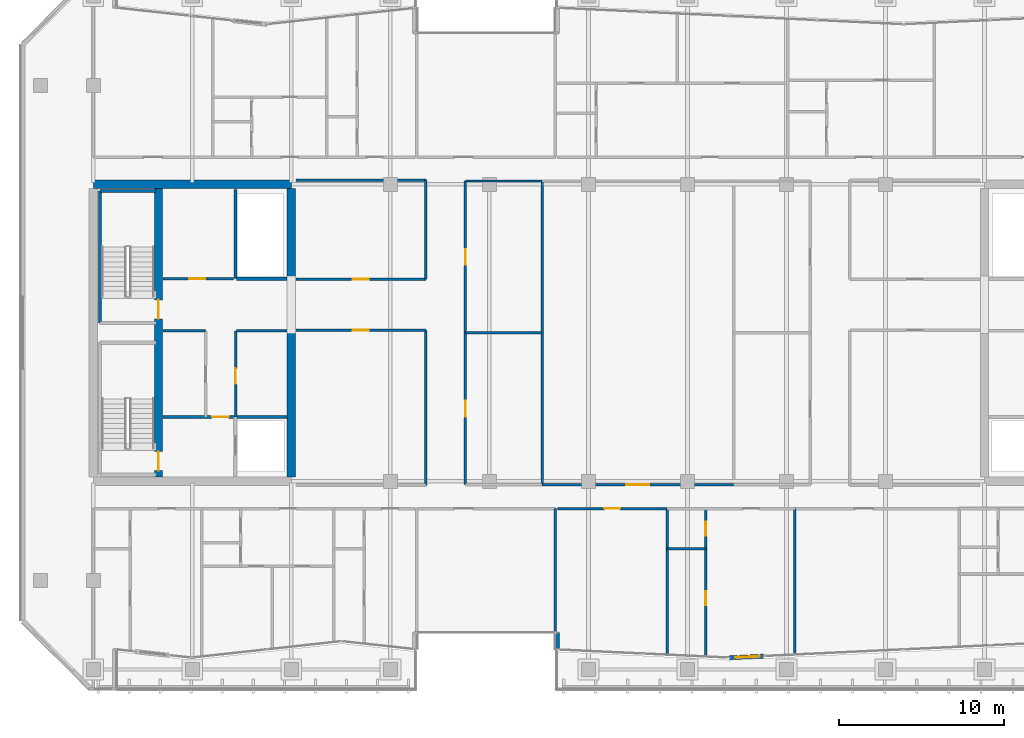
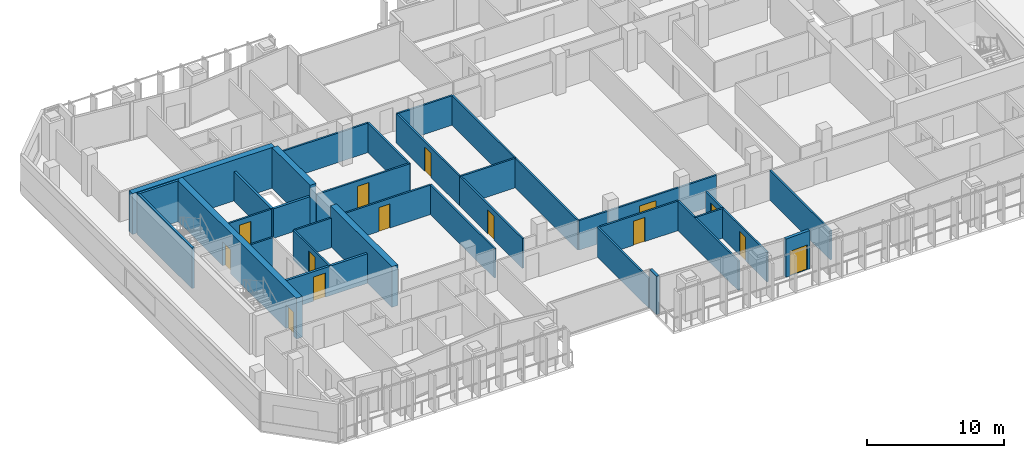
# One storey, part 19 of 28: 32 walls, 14 doors, 14 openings.
"""IFC4 building model written with IfcOpenShell, lengths in metres."""

import ifcopenshell
import ifcopenshell.guid

model = None  # the IFC model being written
_history = None  # IfcOwnerHistory: only IFC2X3 demands one
_inside = {}  # id of a spatial element -> (the spatial element, [elements in it])
_under = {}  # id of a project, library or spatial element -> (it, [spatial elements below it])
_declared = {}  # id of a project -> (the project, [libraries it declares])
_typed = {}  # id of a type object -> (the type object, [elements of that type])
_made_of = {}  # id of a material, layer set ... -> (it, [elements and type objects made of it])


def new_model(schema):
    """Start an empty IFC model of exactly this schema.

    Asked for "IFC4X3", IfcOpenShell would pick the latest addendum, in which some entities
    have other attributes; the version numbers below select the first issue.
    IFC2X3 requires an IfcOwnerHistory on every rooted entity: one is made here for all.
    """
    global model, _history
    if schema == "IFC4X3":
        model = ifcopenshell.file(schema_version=(4, 3, 0, 0))
    else:
        model = ifcopenshell.file(schema=schema)
    _inside.clear()
    _under.clear()
    _declared.clear()
    _typed.clear()
    _made_of.clear()
    _history = None
    if model.schema == "IFC2X3":
        org = make("IfcOrganization", Name="unknown")
        user = make(
            "IfcPersonAndOrganization",
            ThePerson=make("IfcPerson", FamilyName="unknown"),
            TheOrganization=org,
        )
        app = make(
            "IfcApplication",
            ApplicationDeveloper=org,
            Version="unknown",
            ApplicationFullName="unknown",
            ApplicationIdentifier="unknown",
        )
        _history = make(
            "IfcOwnerHistory",
            OwningUser=user,
            OwningApplication=app,
            ChangeAction="ADDED",
            CreationDate=0,
        )
    return model


def make(cls, **values):
    """One entity of the class cls with the attributes given. An attribute that is None is left unset."""
    return model.create_entity(
        cls, **{name: value for name, value in values.items() if value is not None}
    )


def rooted(cls, **values):
    """An entity with a GlobalId (a new one), such as an element, a storey or a relation."""
    return make(cls, GlobalId=ifcopenshell.guid.new(), OwnerHistory=_history, **values)


def si_unit(unit_type, name, prefix=None):
    """IfcSIUnit, for example si_unit("LENGTHUNIT", "METRE", prefix="MILLI")."""
    return make("IfcSIUnit", UnitType=unit_type, Prefix=prefix, Name=name)


def assignment(units):
    """IfcUnitAssignment: the units of a project."""
    return None if units is None else make("IfcUnitAssignment", Units=units)


def point(xyz):
    """IfcCartesianPoint."""
    return None if xyz is None else make("IfcCartesianPoint", Coordinates=xyz)


def direction(xyz):
    """IfcDirection."""
    return None if xyz is None else make("IfcDirection", DirectionRatios=xyz)


def frame(location, z_axis=None, x_axis=None):
    """IfcAxis2Placement3D, a coordinate frame: its origin and axes. An axis left out is left unset."""
    return make(
        "IfcAxis2Placement3D",
        Location=point(location),
        Axis=direction(z_axis),
        RefDirection=direction(x_axis),
    )


def frame_2d(location, x_axis=None):
    """IfcAxis2Placement2D, a coordinate frame in the plane: its origin and x axis."""
    return make(
        "IfcAxis2Placement2D", Location=point(location), RefDirection=direction(x_axis)
    )


def origin():
    """The frame at (0, 0, 0) with its axes left unset."""
    return frame((0.0, 0.0, 0.0))


def place(relative_to, where):
    """IfcLocalPlacement: puts the frame where relative to a parent placement (None: the world)."""
    return make(
        "IfcLocalPlacement", PlacementRelTo=relative_to, RelativePlacement=where
    )


def context(
    kind, dimensions, precision=None, world=None, true_north=None, identifier=None
):
    """IfcGeometricRepresentationContext, for example the 3D "Model" context."""
    return make(
        "IfcGeometricRepresentationContext",
        ContextIdentifier=identifier,
        ContextType=kind,
        CoordinateSpaceDimension=dimensions,
        Precision=precision,
        WorldCoordinateSystem=world,
        TrueNorth=true_north,
    )


def subcontext(parent, identifier, kind, view, scale=None):
    """IfcGeometricRepresentationSubContext, for example "Body" below "Model"."""
    return make(
        "IfcGeometricRepresentationSubContext",
        ContextIdentifier=identifier,
        ContextType=kind,
        ParentContext=parent,
        TargetScale=scale,
        TargetView=view,
    )


def project(units=None, contexts=None):
    """IfcProject with its units and contexts."""
    return rooted(
        "IfcProject",
        Name="project",
        RepresentationContexts=contexts,
        UnitsInContext=assignment(units),
    )


def spatial(cls, under=None, at=None, **own):
    """A site, building, storey or space (cls), placed at a placement, below another one or the project."""
    s = rooted(cls, ObjectPlacement=at, **own)
    if under is not None:
        _under.setdefault(under.id(), (under, []))[1].append(s)
    return s


def profile(cls, at=None, kind="AREA", **sizes):
    """A parametric profile (cls). Its sizes go by their IFC names, for example OverallWidth=200.0."""
    return make(cls, ProfileType=kind, Position=at, **sizes)


def rectangle(**sizes):
    """IfcRectangleProfileDef."""
    return profile("IfcRectangleProfileDef", **sizes)


def extrude(swept, where, along, depth):
    """IfcExtrudedAreaSolid: the profile swept, set in the frame where, extruded along a direction by depth."""
    return make(
        "IfcExtrudedAreaSolid",
        SweptArea=swept,
        Position=where,
        ExtrudedDirection=direction(along),
        Depth=depth,
    )


def shape(context_of_items, identifier, shape_type, items):
    """IfcShapeRepresentation: the items that make up one representation, for example the "Body"."""
    return make(
        "IfcShapeRepresentation",
        ContextOfItems=context_of_items,
        RepresentationIdentifier=identifier,
        RepresentationType=shape_type,
        Items=items,
    )


def material(Name=None, Category=None):
    """IfcMaterial."""
    return make("IfcMaterial", Name=Name, Category=Category)


def layer(
    of_material, thickness, ventilated=None, Name=None, Category=None, Priority=None
):
    """IfcMaterialLayer: one layer of a wall or slab, of a material (None: an air gap)."""
    return make(
        "IfcMaterialLayer",
        Material=of_material,
        LayerThickness=thickness,
        IsVentilated=ventilated,
        Name=Name,
        Category=Category,
        Priority=Priority,
    )


def layer_set(layers, Name=None):
    """IfcMaterialLayerSet."""
    return make("IfcMaterialLayerSet", MaterialLayers=layers, LayerSetName=Name)


def made_of(thing, what):
    """Note that an element or type object is made of a material, layer set ...; save() writes the relation."""
    if what is not None:
        _made_of.setdefault(what.id(), (what, []))[1].append(thing)
    return thing


def type_object(cls, material=None, **own):
    """A type object (cls), such as IfcWallType, which elements share."""
    return made_of(rooted(cls, **own), material)


def element(
    cls,
    number,
    at=None,
    inside=None,
    cuts=None,
    type_object=None,
    material=None,
    context=None,
    identifier="Body",
    shape_type=None,
    held_by="IfcProductDefinitionShape",
    body=None,
    shapes=None,
    **own,
):
    """One element of the class cls, such as IfcWall. Its Tag is "e" and its number.

    at: its placement. inside: the storey or other place that contains it. cuts: it is an
    opening in that element (IfcRelVoidsElement). A single representation is given by context,
    identifier, shape_type and body (its items); several are given by shapes. held_by: the class
    of the entity that holds the representations. save() writes the other relations.
    """
    e = rooted(cls, Tag="e%d" % number, ObjectPlacement=at, **own)
    if body is not None:
        shapes = [shape(context, identifier, shape_type, body)]
    if shapes is not None:
        e.Representation = make(held_by, Representations=shapes)
    if inside is not None:
        _inside.setdefault(inside.id(), (inside, []))[1].append(e)
    if cuts is not None:
        rooted(
            "IfcRelVoidsElement", RelatingBuildingElement=cuts, RelatedOpeningElement=e
        )
    if type_object is not None:
        _typed.setdefault(type_object.id(), (type_object, []))[1].append(e)
    return made_of(e, material)


def fill(opening, filler):
    """IfcRelFillsElement: the door or window that sits in an opening."""
    return rooted(
        "IfcRelFillsElement",
        RelatingOpeningElement=opening,
        RelatedBuildingElement=filler,
    )


def aggregate(whole, parts):
    """IfcRelAggregates: a whole, such as a stair, and the parts it consists of."""
    return rooted("IfcRelAggregates", RelatingObject=whole, RelatedObjects=parts)


def save(model, path):
    """Write the relations noted so far, then the file.

    IfcRelAggregates (storeys below a building ...), IfcRelContainedInSpatialStructure (elements
    in a storey), IfcRelDefinesByType, IfcRelAssociatesMaterial and IfcRelDeclares: one each for
    every whole, place, type object, material and project.
    """
    for whole, parts in _under.values():
        aggregate(whole, parts)
    for where, things in _inside.values():
        rooted(
            "IfcRelContainedInSpatialStructure",
            RelatedElements=things,
            RelatingStructure=where,
        )
    for kind, things in _typed.values():
        rooted("IfcRelDefinesByType", RelatedObjects=things, RelatingType=kind)
    for what, things in _made_of.values():
        rooted("IfcRelAssociatesMaterial", RelatedObjects=things, RelatingMaterial=what)
    for by, libraries in _declared.values():
        rooted("IfcRelDeclares", RelatingContext=by, RelatedDefinitions=libraries)
    model.write(path)


model = new_model("IFC4")

# Units and contexts
model_context = context("Model", 3, precision=1e-05, world=origin(), true_north=direction((0.0, 1.0)))
body_context = subcontext(model_context, "Body", "Model", "MODEL_VIEW")
ifc_project = project(units=[si_unit("LENGTHUNIT", "METRE"), si_unit("AREAUNIT", "SQUARE_METRE"), si_unit("VOLUMEUNIT", "CUBIC_METRE"), si_unit("PLANEANGLEUNIT", "RADIAN"), si_unit("MASSUNIT", "GRAM", prefix="KILO")], contexts=[model_context])

# Site, building, storey
site_placement = place(None, origin())
site = spatial("IfcSite", under=ifc_project, at=site_placement, CompositionType="ELEMENT")
building_placement = place(site_placement, origin())
building = spatial("IfcBuilding", under=site, at=building_placement, Name="Tanjung Sevakor Pilgrim Tower", CompositionType="ELEMENT")
storey_placement = place(building_placement, frame((0.0, 0.0, 158.39990234375)))
storey = spatial("IfcBuildingStorey", under=building, at=storey_placement, Name="L44", CompositionType="ELEMENT", Elevation=158.39990234375)

# Walls
ifc_material_1 = material(Name="Concrete C60/75", Category="concrete")
ifc_layer_1 = layer(ifc_material_1, 0.5)
ifc_layer_set_1 = layer_set([ifc_layer_1], Name="WALL-CW-500")
wall_type_1 = type_object("IfcWallType", Name="WALL-CW-500", PredefinedType="SHEAR", material=ifc_layer_set_1)
wall_1_placement = place(storey_placement, frame((36.0, 42.60009765625, 0.0), z_axis=(0.0, 0.0, 1.0), x_axis=(-1.0, 0.0, 0.0)))
element("IfcWall", 1, at=wall_1_placement, inside=storey, type_object=wall_type_1, Name="L44 W Core North Shear Wall", PredefinedType="SHEAR", context=body_context, shape_type="SweptSolid", body=[
    extrude(rectangle(XDim=12.0, YDim=0.5, at=frame_2d((6.0, 0.0))), origin(), (0.0, 0.0, 1.0), 3.630126953125),
])
wall_2_placement = place(storey_placement, frame((36.0, 24.85009765625, 0.0), z_axis=(0.0, 0.0, 1.0), x_axis=(0.0, 1.0, 0.0)))
element("IfcWall", 2, at=wall_2_placement, inside=storey, type_object=wall_type_1, Name="L44 W Core Inner Shear Wall South", PredefinedType="SHEAR", context=body_context, shape_type="SweptSolid", body=[
    extrude(rectangle(XDim=8.949951171875, YDim=0.5, at=frame_2d((4.47509765625, 0.0))), origin(), (0.0, 0.0, 1.0), 3.630126953125),
])
wall_3_placement = place(storey_placement, frame((36.0, 36.800048828125, 0.0), z_axis=(0.0, 0.0, 1.0), x_axis=(0.0, 1.0, 0.0)))
element("IfcWall", 3, at=wall_3_placement, inside=storey, type_object=wall_type_1, Name="L44 W Core Inner Shear Wall North", PredefinedType="SHEAR", context=body_context, shape_type="SweptSolid", body=[
    extrude(rectangle(XDim=5.550048828125, YDim=0.5, at=frame_2d((2.77490234375, 0.0))), origin(), (0.0, 0.0, 1.0), 3.630126953125),
])

# Wall, openings, doors
wall_4_placement = place(storey_placement, frame((27.949951171875, 24.85009765625, 0.0), z_axis=(0.0, 0.0, 1.0), x_axis=(0.0, 1.0, 0.0)))
wall_4 = element("IfcWall", 4, at=wall_4_placement, inside=storey, type_object=wall_type_1, Name="L44 W Core Stair Spine Wall", PredefinedType="SHEAR", context=body_context, shape_type="SweptSolid", body=[
    extrude(rectangle(XDim=17.5, YDim=0.5, at=frame_2d((8.75, 0.0))), origin(), (0.0, 0.0, 1.0), 3.630126953125),
])
opening_1_placement = place(wall_4_placement, frame((0.39990234375, 0.0, 0.0)))
opening_1 = element("IfcOpeningElement", 5, at=opening_1_placement, cuts=wall_4, Name="Opening ID-ST1", PredefinedType="OPENING", context=body_context, shape_type="SweptSolid", body=[
    extrude(rectangle(XDim=1.14990234375, YDim=2.14990234375, at=frame_2d((0.574951171875, 1.074951171875))), frame((0.0, 0.260009765625, 0.0), z_axis=(0.0, -1.0, 0.0), x_axis=(1.0, 0.0, 0.0)), (0.0, 0.0, 1.0), 0.52001953125),
])
opening_2_placement = place(wall_4_placement, frame((9.60009765625, 0.0, 0.0)))
opening_2 = element("IfcOpeningElement", 6, at=opening_2_placement, cuts=wall_4, Name="Opening ID-ST1", PredefinedType="OPENING", context=body_context, shape_type="SweptSolid", body=[
    extrude(rectangle(XDim=1.14990234375, YDim=2.14990234375, at=frame_2d((0.574951171875, 1.074951171875))), frame((0.0, 0.260009765625, 0.0), z_axis=(0.0, -1.0, 0.0), x_axis=(1.0, 0.0, 0.0)), (0.0, 0.0, 1.0), 0.52001953125),
])
ifc_material_2 = material(Name="Fire-Rated Steel S355J2", Category="steel")
door_type_1 = type_object("IfcDoorType", Name="DT-FIRE-1150", OperationType="NOTDEFINED", PredefinedType="DOOR", material=ifc_material_2)
door_1_placement = place(opening_1_placement, origin())
door_1 = element("IfcDoor", 7, at=door_1_placement, inside=storey, type_object=door_type_1, Name="L44 TS-W1 Stair Fire Door", OperationType="SINGLE_SWING_LEFT", OverallHeight=2.14990234375, OverallWidth=1.14990234375, PredefinedType="DOOR", context=body_context, shape_type="SweptSolid", body=[
    extrude(rectangle(XDim=1.14990234375, YDim=2.14990234375, at=frame_2d((0.574951171875, 1.074951171875))), frame((0.0, 0.02490234375, 0.0), z_axis=(0.0, -1.0, 0.0), x_axis=(1.0, 0.0, 0.0)), (0.0, 0.0, 1.0), 0.050048828125),
])
fill(opening_1, door_1)
door_2_placement = place(opening_2_placement, origin())
door_2 = element("IfcDoor", 8, at=door_2_placement, inside=storey, type_object=door_type_1, Name="L44 TS-W2 Stair Fire Door", OperationType="SINGLE_SWING_RIGHT", OverallHeight=2.14990234375, OverallWidth=1.14990234375, PredefinedType="DOOR", context=body_context, shape_type="SweptSolid", body=[
    extrude(rectangle(XDim=1.14990234375, YDim=2.14990234375, at=frame_2d((0.574951171875, 1.074951171875))), frame((0.0, 0.02490234375, 0.0), z_axis=(0.0, -1.0, 0.0), x_axis=(1.0, 0.0, 0.0)), (0.0, 0.0, 1.0), 0.050048828125),
])
fill(opening_2, door_2)

# Walls
ifc_material_3 = material(Name="Concrete C40/50", Category="concrete")
ifc_layer_2 = layer(ifc_material_3, 0.14990234375)
ifc_layer_set_2 = layer_set([ifc_layer_2], Name="WT-COMP-150")
wall_type_2 = type_object("IfcWallType", Name="WT-COMP-150", PredefinedType="SOLIDWALL", material=ifc_layer_set_2)
wall_5_placement = place(storey_placement, frame((28.219970703125, 33.719970703125, 0.0), z_axis=(0.0, 0.0, 1.0), x_axis=(1.0, 0.0, 0.0)))
element("IfcWall", 9, at=wall_5_placement, inside=storey, type_object=wall_type_2, Name="L44 Partition IW-L44-003", PredefinedType="SOLIDWALL", context=body_context, shape_type="SweptSolid", body=[
    extrude(rectangle(XDim=2.580078125, YDim=0.14990234375, at=frame_2d((1.2900390625, 0.0))), origin(), (0.0, 0.0, 1.0), 2.6298828125),
])
wall_6_placement = place(storey_placement, frame((32.679931640625, 33.719970703125, 0.0), z_axis=(0.0, 0.0, 1.0), x_axis=(1.0, 0.0, 0.0)))
element("IfcWall", 10, at=wall_6_placement, inside=storey, type_object=wall_type_2, Name="L44 Partition IW-L44-005", PredefinedType="SOLIDWALL", context=body_context, shape_type="SweptSolid", body=[
    extrude(rectangle(XDim=3.050048828125, YDim=0.14990234375, at=frame_2d((1.52490234375, 0.0))), origin(), (0.0, 0.0, 1.0), 2.6298828125),
])

# Wall, opening, door
wall_7_placement = place(storey_placement, frame((32.6201171875, 28.5, 0.0), z_axis=(0.0, 0.0, 1.0), x_axis=(0.0, 1.0, 0.0)))
wall_7 = element("IfcWall", 11, at=wall_7_placement, inside=storey, type_object=wall_type_2, Name="L44 Partition IW-L44-006", PredefinedType="SOLIDWALL", context=body_context, shape_type="SweptSolid", body=[
    extrude(rectangle(XDim=5.219970703125, YDim=0.14990234375, at=frame_2d((2.60986328125, 0.0))), origin(), (0.0, 0.0, 1.0), 2.6298828125),
])
opening_3_placement = place(wall_7_placement, frame((2.0, 0.0, 0.0)))
opening_3 = element("IfcOpeningElement", 12, at=opening_3_placement, cuts=wall_7, Name="Opening ID-FD2", PredefinedType="OPENING", context=body_context, shape_type="SweptSolid", body=[
    extrude(rectangle(XDim=0.949951171875, YDim=2.14990234375, at=frame_2d((0.47509765625, 1.074951171875))), frame((0.0, 0.0849609375, 0.0), z_axis=(0.0, -1.0, 0.0), x_axis=(1.0, 0.0, 0.0)), (0.0, 0.0, 1.0), 0.169921875),
])
ifc_material_4 = material(Name="Fire-Rated Timber", Category="wood")
door_type_2 = type_object("IfcDoorType", Name="DT-FIRE-950", OperationType="NOTDEFINED", PredefinedType="DOOR", material=ifc_material_4)
door_3_placement = place(opening_3_placement, origin())
door_3 = element("IfcDoor", 13, at=door_3_placement, inside=storey, type_object=door_type_2, Name="L44 Accessible WC Door", OperationType="SINGLE_SWING_LEFT", OverallHeight=2.14990234375, OverallWidth=0.949951171875, PredefinedType="DOOR", context=body_context, shape_type="SweptSolid", body=[
    extrude(rectangle(XDim=0.949951171875, YDim=2.14990234375, at=frame_2d((0.47509765625, 1.074951171875))), frame((0.0, 0.02490234375, 0.0), z_axis=(0.0, -1.0, 0.0), x_axis=(1.0, 0.0, 0.0)), (0.0, 0.0, 1.0), 0.050048828125),
])
fill(opening_3, door_3)

wall_8_placement = place(storey_placement, frame((28.219970703125, 36.8798828125, 0.0), z_axis=(0.0, 0.0, 1.0), x_axis=(1.0, 0.0, 0.0)))
wall_8 = element("IfcWall", 14, at=wall_8_placement, inside=storey, type_object=wall_type_2, Name="L44 Partition IW-L44-007", PredefinedType="SOLIDWALL", context=body_context, shape_type="SweptSolid", body=[
    extrude(rectangle(XDim=4.280029296875, YDim=0.14990234375, at=frame_2d((2.14013671875, 0.0))), origin(), (0.0, 0.0, 1.0), 2.6298828125),
])
opening_4_placement = place(wall_8_placement, frame((1.60009765625, 0.0, 0.0)))
opening_4 = element("IfcOpeningElement", 15, at=opening_4_placement, cuts=wall_8, Name="Opening ID-FD2", PredefinedType="OPENING", context=body_context, shape_type="SweptSolid", body=[
    extrude(rectangle(XDim=0.949951171875, YDim=2.14990234375, at=frame_2d((0.47509765625, 1.074951171875))), frame((0.0, 0.0849609375, 0.0), z_axis=(0.0, -1.0, 0.0), x_axis=(1.0, 0.0, 0.0)), (0.0, 0.0, 1.0), 0.169921875),
])
door_4_placement = place(opening_4_placement, origin())
door_4 = element("IfcDoor", 16, at=door_4_placement, inside=storey, type_object=door_type_2, Name="L44 Core Prayer Room Door", OperationType="SINGLE_SWING_RIGHT", OverallHeight=2.14990234375, OverallWidth=0.949951171875, PredefinedType="DOOR", context=body_context, shape_type="SweptSolid", body=[
    extrude(rectangle(XDim=0.949951171875, YDim=2.14990234375, at=frame_2d((0.47509765625, 1.074951171875))), frame((0.0, 0.02490234375, 0.0), z_axis=(0.0, -1.0, 0.0), x_axis=(1.0, 0.0, 0.0)), (0.0, 0.0, 1.0), 0.050048828125),
])
fill(opening_4, door_4)

wall_9_placement = place(storey_placement, frame((36.27001953125, 33.75, 0.0), z_axis=(0.0, 0.0, 1.0), x_axis=(1.0, 0.0, 0.0)))
wall_9 = element("IfcWall", 17, at=wall_9_placement, inside=storey, type_object=wall_type_2, Name="L44 Partition IW-L44-020", PredefinedType="SOLIDWALL", context=body_context, shape_type="SweptSolid", body=[
    extrude(rectangle(XDim=7.8798828125, YDim=0.14990234375, at=frame_2d((3.93994140625, 0.0))), origin(), (0.0, 0.0, 1.0), 2.6298828125),
])
opening_5_placement = place(wall_9_placement, frame((3.465087890625, 0.0, 0.0)))
opening_5 = element("IfcOpeningElement", 18, at=opening_5_placement, cuts=wall_9, Name="Opening ID-RM1", PredefinedType="OPENING", context=body_context, shape_type="SweptSolid", body=[
    extrude(rectangle(XDim=0.949951171875, YDim=2.14990234375, at=frame_2d((0.47509765625, 1.074951171875))), frame((0.0, 0.0849609375, 0.0), z_axis=(0.0, -1.0, 0.0), x_axis=(1.0, 0.0, 0.0)), (0.0, 0.0, 1.0), 0.169921875),
])
ifc_material_5 = material(Name="Hardwood Timber", Category="wood")
door_type_3 = type_object("IfcDoorType", Name="DT-INT-950", OperationType="NOTDEFINED", PredefinedType="DOOR", material=ifc_material_5)
door_5_placement = place(opening_5_placement, origin())
door_5 = element("IfcDoor", 19, at=door_5_placement, inside=storey, type_object=door_type_3, Name="L44 West Inboard South Door", OperationType="SINGLE_SWING_RIGHT", OverallHeight=2.14990234375, OverallWidth=0.949951171875, PredefinedType="DOOR", context=body_context, shape_type="SweptSolid", body=[
    extrude(rectangle(XDim=0.949951171875, YDim=2.14990234375, at=frame_2d((0.47509765625, 1.074951171875))), frame((0.0, 0.02490234375, 0.0), z_axis=(0.0, -1.0, 0.0), x_axis=(1.0, 0.0, 0.0)), (0.0, 0.0, 1.0), 0.050048828125),
])
fill(opening_5, door_5)

# Wall
wall_10_placement = place(storey_placement, frame((44.14990234375, 24.35009765625, 0.0), z_axis=(0.0, 0.0, 1.0), x_axis=(0.0, 1.0, 0.0)))
element("IfcWall", 20, at=wall_10_placement, inside=storey, type_object=wall_type_2, Name="L44 Partition IW-L44-021", PredefinedType="SOLIDWALL", context=body_context, shape_type="SweptSolid", body=[
    extrude(rectangle(XDim=9.39990234375, YDim=0.14990234375, at=frame_2d((4.699951171875, 0.0))), origin(), (0.0, 0.0, 1.0), 2.6298828125),
])

# Wall, opening, door
wall_11_placement = place(storey_placement, frame((36.27001953125, 36.85009765625, 0.0), z_axis=(0.0, 0.0, 1.0), x_axis=(1.0, 0.0, 0.0)))
wall_11 = element("IfcWall", 21, at=wall_11_placement, inside=storey, type_object=wall_type_2, Name="L44 Partition IW-L44-022", PredefinedType="SOLIDWALL", context=body_context, shape_type="SweptSolid", body=[
    extrude(rectangle(XDim=7.8798828125, YDim=0.14990234375, at=frame_2d((3.93994140625, 0.0))), origin(), (0.0, 0.0, 1.0), 2.6298828125),
])
opening_6_placement = place(wall_11_placement, frame((3.465087890625, 0.0, 0.0)))
opening_6 = element("IfcOpeningElement", 22, at=opening_6_placement, cuts=wall_11, Name="Opening ID-RM1", PredefinedType="OPENING", context=body_context, shape_type="SweptSolid", body=[
    extrude(rectangle(XDim=0.949951171875, YDim=2.14990234375, at=frame_2d((0.47509765625, 1.074951171875))), frame((0.0, 0.0849609375, 0.0), z_axis=(0.0, -1.0, 0.0), x_axis=(1.0, 0.0, 0.0)), (0.0, 0.0, 1.0), 0.169921875),
])
door_6_placement = place(opening_6_placement, origin())
door_6 = element("IfcDoor", 23, at=door_6_placement, inside=storey, type_object=door_type_3, Name="L44 West Inboard North Door", OperationType="SINGLE_SWING_LEFT", OverallHeight=2.14990234375, OverallWidth=0.949951171875, PredefinedType="DOOR", context=body_context, shape_type="SweptSolid", body=[
    extrude(rectangle(XDim=0.949951171875, YDim=2.14990234375, at=frame_2d((0.47509765625, 1.074951171875))), frame((0.0, 0.02490234375, 0.0), z_axis=(0.0, -1.0, 0.0), x_axis=(1.0, 0.0, 0.0)), (0.0, 0.0, 1.0), 0.050048828125),
])
fill(opening_6, door_6)

# Walls
wall_12_placement = place(storey_placement, frame((36.27001953125, 42.85009765625, 0.0), z_axis=(0.0, 0.0, 1.0), x_axis=(1.0, 0.0, 0.0)))
element("IfcWall", 24, at=wall_12_placement, inside=storey, type_object=wall_type_2, Name="L44 Partition IW-L44-023", PredefinedType="SOLIDWALL", context=body_context, shape_type="SweptSolid", body=[
    extrude(rectangle(XDim=7.8798828125, YDim=0.14990234375, at=frame_2d((3.93994140625, 0.0))), origin(), (0.0, 0.0, 1.0), 2.6298828125),
])
wall_13_placement = place(storey_placement, frame((44.14990234375, 36.85009765625, 0.0), z_axis=(0.0, 0.0, 1.0), x_axis=(0.0, 1.0, 0.0)))
element("IfcWall", 25, at=wall_13_placement, inside=storey, type_object=wall_type_2, Name="L44 Partition IW-L44-024", PredefinedType="SOLIDWALL", context=body_context, shape_type="SweptSolid", body=[
    extrude(rectangle(XDim=6.0, YDim=0.14990234375, at=frame_2d((3.0, 0.0))), origin(), (0.0, 0.0, 1.0), 2.6298828125),
])
wall_14_placement = place(storey_placement, frame((46.550048828125, 33.60009765625, 0.0), z_axis=(0.0, 0.0, 1.0), x_axis=(1.0, 0.0, 0.0)))
element("IfcWall", 26, at=wall_14_placement, inside=storey, type_object=wall_type_2, Name="L44 Partition IW-L44-032", PredefinedType="SOLIDWALL", context=body_context, shape_type="SweptSolid", body=[
    extrude(rectangle(XDim=4.64990234375, YDim=0.14990234375, at=frame_2d((2.324951171875, 0.0))), origin(), (0.0, 0.0, 1.0), 2.6298828125),
])

# Wall, opening, door
wall_15_placement = place(storey_placement, frame((46.550048828125, 24.39990234375, 0.0), z_axis=(0.0, 0.0, 1.0), x_axis=(0.0, 1.0, 0.0)))
wall_15 = element("IfcWall", 27, at=wall_15_placement, inside=storey, type_object=wall_type_2, Name="L44 Partition IW-L44-033", PredefinedType="SOLIDWALL", context=body_context, shape_type="SweptSolid", body=[
    extrude(rectangle(XDim=9.2001953125, YDim=0.14990234375, at=frame_2d((4.60009765625, 0.0))), origin(), (0.0, 0.0, 1.0), 2.6298828125),
])
opening_7_placement = place(wall_15_placement, frame((4.125, 0.0, 0.0)))
opening_7 = element("IfcOpeningElement", 28, at=opening_7_placement, cuts=wall_15, Name="Opening ID-RM1", PredefinedType="OPENING", context=body_context, shape_type="SweptSolid", body=[
    extrude(rectangle(XDim=0.949951171875, YDim=2.14990234375, at=frame_2d((0.47509765625, 1.074951171875))), frame((0.0, 0.0849609375, 0.0), z_axis=(0.0, -1.0, 0.0), x_axis=(1.0, 0.0, 0.0)), (0.0, 0.0, 1.0), 0.169921875),
])
door_7_placement = place(opening_7_placement, origin())
door_7 = element("IfcDoor", 29, at=door_7_placement, inside=storey, type_object=door_type_3, Name="L44 Male Ablution Door", OperationType="SINGLE_SWING_RIGHT", OverallHeight=2.14990234375, OverallWidth=0.949951171875, PredefinedType="DOOR", context=body_context, shape_type="SweptSolid", body=[
    extrude(rectangle(XDim=0.949951171875, YDim=2.14990234375, at=frame_2d((0.47509765625, 1.074951171875))), frame((0.0, 0.02490234375, 0.0), z_axis=(0.0, -1.0, 0.0), x_axis=(1.0, 0.0, 0.0)), (0.0, 0.0, 1.0), 0.050048828125),
])
fill(opening_7, door_7)

# Wall
wall_16_placement = place(storey_placement, frame((46.550048828125, 42.800048828125, 0.0), z_axis=(0.0, 0.0, 1.0), x_axis=(1.0, 0.0, 0.0)))
element("IfcWall", 30, at=wall_16_placement, inside=storey, type_object=wall_type_2, Name="L44 Partition IW-L44-034", PredefinedType="SOLIDWALL", context=body_context, shape_type="SweptSolid", body=[
    extrude(rectangle(XDim=4.64990234375, YDim=0.14990234375, at=frame_2d((2.324951171875, 0.0))), origin(), (0.0, 0.0, 1.0), 2.6298828125),
])

# Wall, opening, door
wall_17_placement = place(storey_placement, frame((46.550048828125, 33.60009765625, 0.0), z_axis=(0.0, 0.0, 1.0), x_axis=(0.0, 1.0, 0.0)))
wall_17 = element("IfcWall", 31, at=wall_17_placement, inside=storey, type_object=wall_type_2, Name="L44 Partition IW-L44-035", PredefinedType="SOLIDWALL", context=body_context, shape_type="SweptSolid", body=[
    extrude(rectangle(XDim=9.199951171875, YDim=0.14990234375, at=frame_2d((4.60009765625, 0.0))), origin(), (0.0, 0.0, 1.0), 2.6298828125),
])
opening_8_placement = place(wall_17_placement, frame((4.125, 0.0, 0.0)))
opening_8 = element("IfcOpeningElement", 32, at=opening_8_placement, cuts=wall_17, Name="Opening ID-RM1", PredefinedType="OPENING", context=body_context, shape_type="SweptSolid", body=[
    extrude(rectangle(XDim=0.949951171875, YDim=2.14990234375, at=frame_2d((0.47509765625, 1.074951171875))), frame((0.0, 0.0849609375, 0.0), z_axis=(0.0, -1.0, 0.0), x_axis=(1.0, 0.0, 0.0)), (0.0, 0.0, 1.0), 0.169921875),
])
door_8_placement = place(opening_8_placement, origin())
door_8 = element("IfcDoor", 33, at=door_8_placement, inside=storey, type_object=door_type_3, Name="L44 Male Washroom Door", OperationType="SINGLE_SWING_LEFT", OverallHeight=2.14990234375, OverallWidth=0.949951171875, PredefinedType="DOOR", context=body_context, shape_type="SweptSolid", body=[
    extrude(rectangle(XDim=0.949951171875, YDim=2.14990234375, at=frame_2d((0.47509765625, 1.074951171875))), frame((0.0, 0.02490234375, 0.0), z_axis=(0.0, -1.0, 0.0), x_axis=(1.0, 0.0, 0.0)), (0.0, 0.0, 1.0), 0.050048828125),
])
fill(opening_8, door_8)

wall_18_placement = place(storey_placement, frame((51.199951171875, 24.39990234375, 0.0), z_axis=(0.0, 0.0, 1.0), x_axis=(1.0, 0.0, 0.0)))
wall_18 = element("IfcWall", 34, at=wall_18_placement, inside=storey, type_object=wall_type_2, Name="L44 Partition IW-L44-036", PredefinedType="SOLIDWALL", context=body_context, shape_type="SweptSolid", body=[
    extrude(rectangle(XDim=11.60009765625, YDim=0.14990234375, at=frame_2d((5.800048828125, 0.0))), origin(), (0.0, 0.0, 1.0), 2.6298828125),
])
opening_9_placement = place(wall_18_placement, frame((5.10009765625, 0.0, 0.0)))
opening_9 = element("IfcOpeningElement", 35, at=opening_9_placement, cuts=wall_18, Name="Opening ID-HD1", PredefinedType="OPENING", context=body_context, shape_type="SweptSolid", body=[
    extrude(rectangle(XDim=1.39990234375, YDim=2.14990234375, at=frame_2d((0.699951171875, 1.074951171875))), frame((0.0, 0.0849609375, 0.0), z_axis=(0.0, -1.0, 0.0), x_axis=(1.0, 0.0, 0.0)), (0.0, 0.0, 1.0), 0.169921875),
])
ifc_material_6 = material(Name="Hardwood Timber", Category="wood")
door_type_4 = type_object("IfcDoorType", Name="DT-INT-1400", OperationType="DOUBLE_DOOR_SINGLE_SWING", PredefinedType="DOOR", material=ifc_material_6)
door_9_placement = place(opening_9_placement, origin())
door_9 = element("IfcDoor", 36, at=door_9_placement, inside=storey, type_object=door_type_4, Name="L44 Sky-Prayer Sanctuary Door", OperationType="SINGLE_SWING_RIGHT", OverallHeight=2.14990234375, OverallWidth=1.39990234375, PredefinedType="DOOR", context=body_context, shape_type="SweptSolid", body=[
    extrude(rectangle(XDim=1.39990234375, YDim=2.14990234375, at=frame_2d((0.699951171875, 1.074951171875))), frame((0.0, 0.02490234375, 0.0), z_axis=(0.0, -1.0, 0.0), x_axis=(1.0, 0.0, 0.0)), (0.0, 0.0, 1.0), 0.050048828125),
])
fill(opening_9, door_9)

# Walls
wall_19_placement = place(storey_placement, frame((51.199951171875, 24.39990234375, 0.0), z_axis=(0.0, 0.0, 1.0), x_axis=(0.0, 1.0, 0.0)))
element("IfcWall", 37, at=wall_19_placement, inside=storey, type_object=wall_type_2, Name="L44 Partition IW-L44-038", PredefinedType="SOLIDWALL", context=body_context, shape_type="SweptSolid", body=[
    extrude(rectangle(XDim=18.400146484375, YDim=0.14990234375, at=frame_2d((9.2001953125, 0.0))), origin(), (0.0, 0.0, 1.0), 2.6298828125),
])
wall_20_placement = place(storey_placement, frame((52.0, 15.425048828125, 0.0), z_axis=(0.0, 0.0, 1.0), x_axis=(0.0, 1.0, 0.0)))
element("IfcWall", 38, at=wall_20_placement, inside=storey, type_object=wall_type_2, Name="L44 Partition IW-L44-047", PredefinedType="SOLIDWALL", context=body_context, shape_type="SweptSolid", body=[
    extrude(rectangle(XDim=7.52490234375, YDim=0.14990234375, at=frame_2d((3.762451171875, 0.0))), origin(), (0.0, 0.0, 1.0), 2.6298828125),
])
wall_21_placement = place(storey_placement, frame((58.7666015625, 14.08447265625, 0.0), z_axis=(0.0, 0.0, 1.0), x_axis=(0.0, 1.0, 0.0)))
element("IfcWall", 39, at=wall_21_placement, inside=storey, type_object=wall_type_2, Name="L44 Partition IW-L44-066", PredefinedType="SOLIDWALL", context=body_context, shape_type="SweptSolid", body=[
    extrude(rectangle(XDim=8.865478515625, YDim=0.14990234375, at=frame_2d((4.4326171875, 0.0))), origin(), (0.0, 0.0, 1.0), 2.6298828125),
])

# Wall, opening, door
wall_22_placement = place(storey_placement, frame((52.1201171875, 22.949951171875, 0.0), z_axis=(0.0, 0.0, 1.0), x_axis=(1.0, 0.0, 0.0)))
wall_22 = element("IfcWall", 40, at=wall_22_placement, inside=storey, type_object=wall_type_2, Name="L44 Partition IW-L44-067", PredefinedType="SOLIDWALL", context=body_context, shape_type="SweptSolid", body=[
    extrude(rectangle(XDim=6.646484375, YDim=0.14990234375, at=frame_2d((3.3232421875, 0.0))), origin(), (0.0, 0.0, 1.0), 2.6298828125),
])
opening_10_placement = place(wall_22_placement, frame((2.848388671875, 0.0, 0.0)))
opening_10 = element("IfcOpeningElement", 41, at=opening_10_placement, cuts=wall_22, Name="Opening ID-FD2", PredefinedType="OPENING", context=body_context, shape_type="SweptSolid", body=[
    extrude(rectangle(XDim=0.949951171875, YDim=2.14990234375, at=frame_2d((0.47509765625, 1.074951171875))), frame((0.0, 0.0849609375, 0.0), z_axis=(0.0, -1.0, 0.0), x_axis=(1.0, 0.0, 0.0)), (0.0, 0.0, 1.0), 0.169921875),
])
door_10_placement = place(opening_10_placement, origin())
door_10 = element("IfcDoor", 42, at=door_10_placement, inside=storey, type_object=door_type_2, Name="Housekeeping Pantry Door", OperationType="SINGLE_SWING_RIGHT", OverallHeight=2.14990234375, OverallWidth=0.949951171875, PredefinedType="DOOR", context=body_context, shape_type="SweptSolid", body=[
    extrude(rectangle(XDim=0.949951171875, YDim=2.14990234375, at=frame_2d((0.47509765625, 1.074951171875))), frame((0.0, 0.02490234375, 0.0), z_axis=(0.0, -1.0, 0.0), x_axis=(1.0, 0.0, 0.0)), (0.0, 0.0, 1.0), 0.050048828125),
])
fill(opening_10, door_10)

# Walls
wall_23_placement = place(storey_placement, frame((66.52099609375, 14.09326171875, 0.0), z_axis=(0.0, 0.0, 1.0), x_axis=(0.0, 1.0, 0.0)))
element("IfcWall", 43, at=wall_23_placement, inside=storey, type_object=wall_type_2, Name="L44 Partition IW-L44-068", PredefinedType="SOLIDWALL", context=body_context, shape_type="SweptSolid", body=[
    extrude(rectangle(XDim=8.856689453125, YDim=0.14990234375, at=frame_2d((4.42822265625, 0.0))), origin(), (0.0, 0.0, 1.0), 2.6298828125),
])
ifc_material_7 = material(Name="Precast concrete C45/55", Category="concrete")
ifc_layer_3 = layer(ifc_material_7, 0.25)
ifc_layer_set_3 = layer_set([ifc_layer_3], Name="WT-EW-STN3")
wall_type_3 = type_object("IfcWallType", Name="WT-EW-STN3", PredefinedType="SOLIDWALL", material=ifc_layer_set_3)
wall_24_placement = place(storey_placement, frame((52.125, 15.425048828125, 0.0), z_axis=(0.0, 0.0, 1.0), x_axis=(0.0, -1.0, 0.0)))
element("IfcWall", 44, at=wall_24_placement, inside=storey, type_object=wall_type_3, Name="L44 MAIN Exterior Wall 9", PredefinedType="SOLIDWALL", context=body_context, shape_type="SweptSolid", body=[
    extrude(rectangle(XDim=1.02587890625, YDim=0.25, at=frame_2d((0.512939453125, 0.0))), origin(), (0.0, 0.0, 1.0), 3.409912109375),
])

# Wall, opening, door
wall_25_placement = place(storey_placement, frame((62.550048828125, 13.905029296875, 0.0), z_axis=(0.0, 0.0, 1.0), x_axis=(0.998875633253, 0.047407481407, 0.0)))
wall_25 = element("IfcWall", 45, at=wall_25_placement, inside=storey, type_object=wall_type_3, Name="L44 S-Curve Terrace Threshold Wall 10", PredefinedType="SOLIDWALL", context=body_context, shape_type="SweptSolid", body=[
    extrude(rectangle(XDim=2.059814453125, YDim=0.25, at=frame_2d((1.02978515625, 0.0))), origin(), (0.0, 0.0, 1.0), 3.409912109375),
])
opening_11_placement = place(wall_25_placement, frame((0.35009765625, 0.0, 0.0)))
opening_11 = element("IfcOpeningElement", 46, at=opening_11_placement, cuts=wall_25, Name="Opening ED-TER-1500", PredefinedType="OPENING", context=body_context, shape_type="SweptSolid", body=[
    extrude(rectangle(XDim=1.5, YDim=2.199951171875, at=frame_2d((0.75, 1.10009765625))), frame((0.0, 0.135009765625, 0.0), z_axis=(0.0, -1.0, 0.0), x_axis=(1.0, 0.0, 0.0)), (0.0, 0.0, 1.0), 0.27001953125),
])
ifc_material_8 = material(Name="Anodised Aluminium and Laminated Glass", Category="aluminium")
door_type_5 = type_object("IfcDoorType", Name="DTYP-ED-TER-1500", OperationType="DOUBLE_DOOR_SINGLE_SWING", PredefinedType="DOOR", material=ifc_material_8)
door_11_placement = place(opening_11_placement, frame((1.5, 0.0, 0.0), z_axis=(0.0, 0.0, 1.0), x_axis=(-1.0, 0.0, 0.0)))
door_11 = element("IfcDoor", 47, at=door_11_placement, inside=storey, type_object=door_type_5, Name="L44 S-Curve Terrace Access Door 10", OperationType="SINGLE_SWING_LEFT", OverallHeight=2.199951171875, OverallWidth=1.5, PredefinedType="DOOR", context=body_context, shape_type="SweptSolid", body=[
    extrude(rectangle(XDim=1.5, YDim=2.199951171875, at=frame_2d((0.75, 1.10009765625))), frame((0.0, 0.02490234375, 0.0), z_axis=(0.0, -1.0, 0.0), x_axis=(1.0, 0.0, 0.0)), (0.0, 0.0, 1.0), 0.050048828125),
])
fill(opening_11, door_11)

# Walls
ifc_material_9 = material(Name="Concrete C40/50", Category="concrete")
ifc_layer_4 = layer(ifc_material_9, 0.199951171875)
ifc_layer_set_4 = layer_set([ifc_layer_4], Name="WT-FIRE-200")
wall_type_4 = type_object("IfcWallType", Name="WT-FIRE-200", PredefinedType="SOLIDWALL", material=ifc_layer_set_4)
wall_26_placement = place(storey_placement, frame((27.800048828125, 42.199951171875, 0.0), z_axis=(0.0, 0.0, 1.0), x_axis=(-1.0, 0.0, 0.0)))
element("IfcWall", 48, at=wall_26_placement, inside=storey, type_object=wall_type_4, Name="L44 TS-W2 Shaft Wall 2", PredefinedType="SOLIDWALL", context=body_context, shape_type="SweptSolid", body=[
    extrude(rectangle(XDim=3.400146484375, YDim=0.199951171875, at=frame_2d((1.7001953125, 0.0))), origin(), (0.0, 0.0, 1.0), 3.630126953125),
])
wall_27_placement = place(storey_placement, frame((24.39990234375, 42.199951171875, 0.0), z_axis=(0.0, 0.0, 1.0), x_axis=(0.0, -1.0, 0.0)))
element("IfcWall", 49, at=wall_27_placement, inside=storey, type_object=wall_type_4, Name="L44 TS-W2 Shaft Wall 3", PredefinedType="SOLIDWALL", context=body_context, shape_type="SweptSolid", body=[
    extrude(rectangle(XDim=8.0, YDim=0.199951171875, at=frame_2d((4.0, 0.0))), origin(), (0.0, 0.0, 1.0), 3.630126953125),
])

# Wall, opening, door
ifc_material_10 = material(Name="Concrete C40/50", Category="concrete")
ifc_layer_5 = layer(ifc_material_10, 0.199951171875)
ifc_layer_set_5 = layer_set([ifc_layer_5], Name="WT-FPRT-200")
wall_type_5 = type_object("IfcWallType", Name="WT-FPRT-200", PredefinedType="SOLIDWALL", material=ifc_layer_set_5)
wall_28_placement = place(storey_placement, frame((28.219970703125, 28.5, 0.0), z_axis=(0.0, 0.0, 1.0), x_axis=(1.0, 0.0, 0.0)))
wall_28 = element("IfcWall", 50, at=wall_28_placement, inside=storey, type_object=wall_type_5, Name="L44 Partition IW-L44-002", PredefinedType="SOLIDWALL", context=body_context, shape_type="SweptSolid", body=[
    extrude(rectangle(XDim=7.510009765625, YDim=0.199951171875, at=frame_2d((3.7548828125, 0.0))), origin(), (0.0, 0.0, 1.0), 2.6298828125),
])
opening_12_placement = place(wall_28_placement, frame((2.97998046875, 0.0, 0.0)))
opening_12 = element("IfcOpeningElement", 51, at=opening_12_placement, cuts=wall_28, Name="Opening ID-FD1", PredefinedType="OPENING", context=body_context, shape_type="SweptSolid", body=[
    extrude(rectangle(XDim=1.0, YDim=2.14990234375, at=frame_2d((0.5, 1.074951171875))), frame((0.0, 0.10986328125, 0.0), z_axis=(0.0, -1.0, 0.0), x_axis=(1.0, 0.0, 0.0)), (0.0, 0.0, 1.0), 0.219970703125),
])
ifc_material_11 = material(Name="Fire-Rated Steel S355J2", Category="steel")
door_type_6 = type_object("IfcDoorType", Name="DT-FIRE-1000", OperationType="NOTDEFINED", PredefinedType="DOOR", material=ifc_material_11)
door_12_placement = place(opening_12_placement, origin())
door_12 = element("IfcDoor", 52, at=door_12_placement, inside=storey, type_object=door_type_6, Name="Fire Lobby Door W", OperationType="SINGLE_SWING_LEFT", OverallHeight=2.14990234375, OverallWidth=1.0, PredefinedType="DOOR", context=body_context, shape_type="SweptSolid", body=[
    extrude(rectangle(XDim=1.0, YDim=2.14990234375, at=frame_2d((0.5, 1.074951171875))), frame((0.0, 0.02490234375, 0.0), z_axis=(0.0, -1.0, 0.0), x_axis=(1.0, 0.0, 0.0)), (0.0, 0.0, 1.0), 0.050048828125),
])
fill(opening_12, door_12)

# Walls
wall_29_placement = place(storey_placement, frame((32.679931640625, 36.8798828125, 0.0), z_axis=(0.0, 0.0, 1.0), x_axis=(1.0, 0.0, 0.0)))
element("IfcWall", 53, at=wall_29_placement, inside=storey, type_object=wall_type_5, Name="L44 Partition IW-L44-008", PredefinedType="SOLIDWALL", context=body_context, shape_type="SweptSolid", body=[
    extrude(rectangle(XDim=3.050048828125, YDim=0.199951171875, at=frame_2d((1.52490234375, 0.0))), origin(), (0.0, 0.0, 1.0), 2.6298828125),
])
wall_30_placement = place(storey_placement, frame((32.6201171875, 36.8798828125, 0.0), z_axis=(0.0, 0.0, 1.0), x_axis=(0.0, 1.0, 0.0)))
element("IfcWall", 54, at=wall_30_placement, inside=storey, type_object=wall_type_5, Name="L44 Partition IW-L44-009", PredefinedType="SOLIDWALL", context=body_context, shape_type="SweptSolid", body=[
    extrude(rectangle(XDim=5.420166015625, YDim=0.199951171875, at=frame_2d((2.7099609375, 0.0))), origin(), (0.0, 0.0, 1.0), 2.6298828125),
])
ifc_material_12 = material(Name="Gypsum Board Partition", Category="gypsum board")
ifc_layer_6 = layer(ifc_material_12, 0.14990234375)
ifc_layer_set_6 = layer_set([ifc_layer_6], Name="WT-PART-150")
wall_type_6 = type_object("IfcWallType", Name="WT-PART-150", PredefinedType="PARTITIONING", material=ifc_layer_set_6)
wall_31_placement = place(storey_placement, frame((58.7666015625, 20.5, 0.0), z_axis=(0.0, 0.0, 1.0), x_axis=(1.0, 0.0, 0.0)))
element("IfcWall", 55, at=wall_31_placement, inside=storey, type_object=wall_type_6, Name="L44 Partition IW-L44-069", PredefinedType="PARTITIONING", context=body_context, shape_type="SweptSolid", body=[
    extrude(rectangle(XDim=2.35009765625, YDim=0.14990234375, at=frame_2d((1.175048828125, 0.0))), origin(), (0.0, 0.0, 1.0), 2.6298828125),
])

# Wall, openings, doors
wall_32_placement = place(storey_placement, frame((61.11669921875, 13.972900390625, 0.0), z_axis=(0.0, 0.0, 1.0), x_axis=(0.0, 1.0, 0.0)))
wall_32 = element("IfcWall", 56, at=wall_32_placement, inside=storey, type_object=wall_type_6, Name="L44 Partition IW-L44-070", PredefinedType="PARTITIONING", context=body_context, shape_type="SweptSolid", body=[
    extrude(rectangle(XDim=8.97705078125, YDim=0.14990234375, at=frame_2d((4.488525390625, 0.0))), origin(), (0.0, 0.0, 1.0), 2.6298828125),
])
opening_13_placement = place(wall_32_placement, frame((3.116943359375, 0.0, 0.0)))
opening_13 = element("IfcOpeningElement", 57, at=opening_13_placement, cuts=wall_32, Name="Opening ID-WC1", PredefinedType="OPENING", context=body_context, shape_type="SweptSolid", body=[
    extrude(rectangle(XDim=0.85009765625, YDim=2.10009765625, at=frame_2d((0.425048828125, 1.050048828125))), frame((0.0, 0.0849609375, 0.0), z_axis=(0.0, -1.0, 0.0), x_axis=(1.0, 0.0, 0.0)), (0.0, 0.0, 1.0), 0.169921875),
])
opening_14_placement = place(wall_32_placement, frame((7.326904296875, 0.0, 0.0)))
opening_14 = element("IfcOpeningElement", 58, at=opening_14_placement, cuts=wall_32, Name="Opening ID-WC1", PredefinedType="OPENING", context=body_context, shape_type="SweptSolid", body=[
    extrude(rectangle(XDim=0.85009765625, YDim=2.10009765625, at=frame_2d((0.425048828125, 1.050048828125))), frame((0.0, 0.0849609375, 0.0), z_axis=(0.0, -1.0, 0.0), x_axis=(1.0, 0.0, 0.0)), (0.0, 0.0, 1.0), 0.169921875),
])
ifc_material_13 = material(Name="Moisture-Resistant Timber", Category="wood")
door_type_7 = type_object("IfcDoorType", Name="DT-INT-850", OperationType="NOTDEFINED", PredefinedType="DOOR", material=ifc_material_13)
door_13_placement = place(opening_13_placement, origin())
door_13 = element("IfcDoor", 59, at=door_13_placement, inside=storey, type_object=door_type_7, Name="Study Nook Door", OperationType="SINGLE_SWING_LEFT", OverallHeight=2.10009765625, OverallWidth=0.85009765625, PredefinedType="DOOR", context=body_context, shape_type="SweptSolid", body=[
    extrude(rectangle(XDim=0.85009765625, YDim=2.10009765625, at=frame_2d((0.425048828125, 1.050048828125))), frame((0.0, 0.02490234375, 0.0), z_axis=(0.0, -1.0, 0.0), x_axis=(1.0, 0.0, 0.0)), (0.0, 0.0, 1.0), 0.050048828125),
])
fill(opening_13, door_13)
door_14_placement = place(opening_14_placement, origin())
door_14 = element("IfcDoor", 60, at=door_14_placement, inside=storey, type_object=door_type_7, Name="Bathroom Door", OperationType="SINGLE_SWING_RIGHT", OverallHeight=2.10009765625, OverallWidth=0.85009765625, PredefinedType="DOOR", context=body_context, shape_type="SweptSolid", body=[
    extrude(rectangle(XDim=0.85009765625, YDim=2.10009765625, at=frame_2d((0.425048828125, 1.050048828125))), frame((0.0, 0.02490234375, 0.0), z_axis=(0.0, -1.0, 0.0), x_axis=(1.0, 0.0, 0.0)), (0.0, 0.0, 1.0), 0.050048828125),
])
fill(opening_14, door_14)

save(model, "model.ifc")
